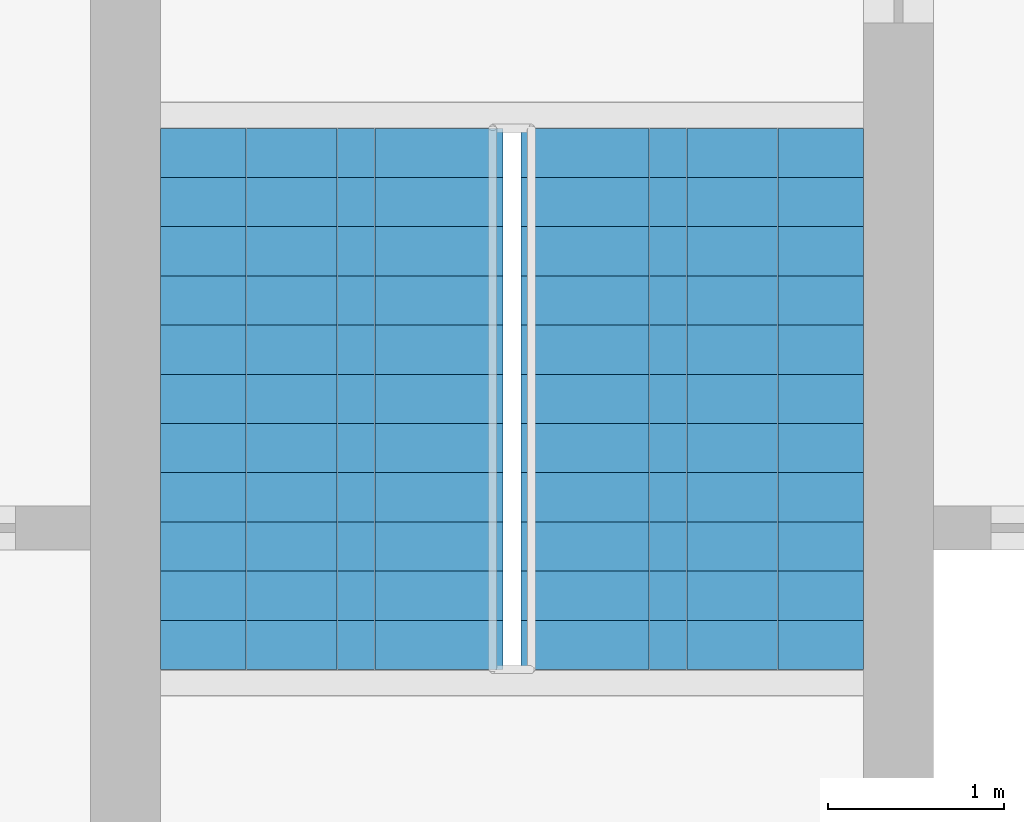
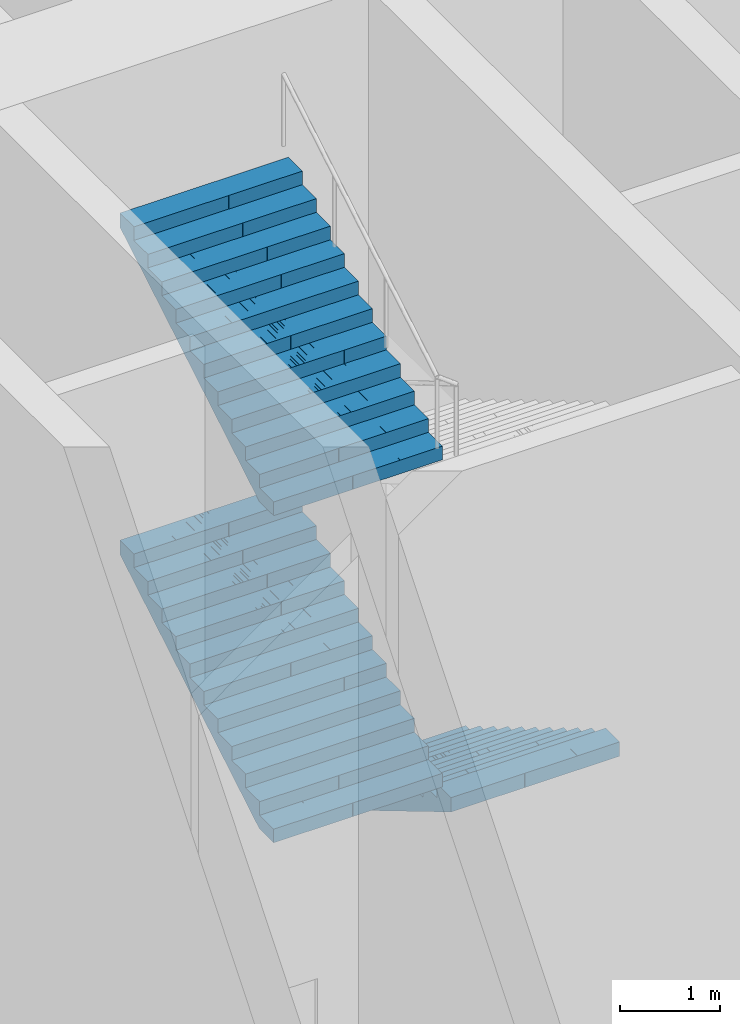
# One storey, part 22 of 25: 3 stair flights, 1 element without a shape of its own.
"""IFC4 building model written with IfcOpenShell, lengths in metres."""

from ifc_helpers import new_model, si_unit, direction, frame, origin, place, context, subcontext, project, spatial, polyline, outline, extrude, material, type_object, element, aggregate, save


model = new_model("IFC4")

# Units and contexts
model_context = context("Model", 3, precision=1e-05, world=origin(), true_north=direction((0.0, 1.0)))
body_context = subcontext(model_context, "Body", "Model", "MODEL_VIEW")
ifc_project = project(units=[si_unit("LENGTHUNIT", "METRE"), si_unit("AREAUNIT", "SQUARE_METRE"), si_unit("VOLUMEUNIT", "CUBIC_METRE"), si_unit("PLANEANGLEUNIT", "RADIAN"), si_unit("MASSUNIT", "GRAM", prefix="KILO")], contexts=[model_context])

# Site, building, storey
site_placement = place(None, origin())
site = spatial("IfcSite", under=ifc_project, at=site_placement, CompositionType="ELEMENT")
building_placement = place(site_placement, origin())
building = spatial("IfcBuilding", under=site, at=building_placement, Name="Mizan Broadcast Tower", CompositionType="ELEMENT")
storey_placement = place(building_placement, frame((0.0, 0.0, 7.0)))
storey = spatial("IfcBuildingStorey", under=building, at=storey_placement, Name="L01", CompositionType="ELEMENT", Elevation=7.0)

# Stair, stair flights
ifc_material_1 = material(Name="Concrete C40/50", Category="concrete")
stair_type = type_object("IfcStairType", Name="EXIT STAIR", PredefinedType="HALF_TURN_STAIR", material=ifc_material_1)
stair_placement = place(storey_placement, origin())
stair = element("IfcStair", 1, at=stair_placement, inside=storey, type_object=stair_type, Name="Stair B L01", PredefinedType="HALF_TURN_STAIR")
ifc_material_2 = material(Name="Concrete C40/50", Category="concrete")
stair_flight_type = type_object("IfcStairFlightType", Name="EXIT STAIR FLIGHT", PredefinedType="STRAIGHT", material=ifc_material_2)
stair_flight_1_placement = place(storey_placement, frame((1.02490234375, 7.89990234375, 0.0), z_axis=(0.0, 0.0, 1.0), x_axis=(0.0, -1.0, 0.0)))
stair_flight_1 = element("IfcStairFlight", 2, at=stair_flight_1_placement, type_object=stair_flight_type, Name="B flight 1", NumberOfRisers=12, NumberOfTreads=11, PredefinedType="STRAIGHT", RiserHeight=0.166666667, TreadLength=0.28, context=body_context, shape_type="SweptSolid", body=[
    extrude(outline(polyline([(0.0, 0.0), (0.0, 0.166748046875), (0.280029296875, 0.166748046875), (0.280029296875, 0.333251953125), (0.56005859375, 0.333251953125), (0.56005859375, 0.5), (0.840087890625, 0.5), (0.840087890625, 0.666748046875), (1.1201171875, 0.666748046875), (1.1201171875, 0.833251953125), (1.39990234375, 0.833251953125), (1.39990234375, 1.0), (1.679931640625, 1.0), (1.679931640625, 1.166748046875), (1.9599609375, 1.166748046875), (1.9599609375, 1.333251953125), (2.239990234375, 1.333251953125), (2.239990234375, 1.5), (2.52001953125, 1.5), (2.52001953125, 1.666748046875), (2.800048828125, 1.666748046875), (2.800048828125, 1.833251953125), (3.080078125, 1.833251953125), (3.080078125, 2.0), (3.080078125, 1.658935546875), (0.29296875, 0.0), (0.0, 0.0)])), frame((0.0, 0.97509765625, 0.0), z_axis=(0.0, -1.0, 0.0), x_axis=(1.0, 0.0, 0.0)), (0.0, 0.0, 1.0), 0.4873046875),
    extrude(outline(polyline([(0.0, 0.0), (0.0, 0.166748046875), (0.280029296875, 0.166748046875), (0.280029296875, 0.333251953125), (0.56005859375, 0.333251953125), (0.56005859375, 0.5), (0.840087890625, 0.5), (0.840087890625, 0.666748046875), (1.1201171875, 0.666748046875), (1.1201171875, 0.833251953125), (1.39990234375, 0.833251953125), (1.39990234375, 1.0), (1.679931640625, 1.0), (1.679931640625, 1.166748046875), (1.9599609375, 1.166748046875), (1.9599609375, 1.333251953125), (2.239990234375, 1.333251953125), (2.239990234375, 1.5), (2.52001953125, 1.5), (2.52001953125, 1.666748046875), (2.800048828125, 1.666748046875), (2.800048828125, 1.833251953125), (3.080078125, 1.833251953125), (3.080078125, 2.0), (3.080078125, 1.658935546875), (0.29296875, 0.0), (0.0, 0.0)])), frame((0.0, 0.4873046875, 0.0), z_axis=(0.0, -1.0, 0.0), x_axis=(1.0, 0.0, 0.0)), (0.0, 0.0, 1.0), 0.2431640625),
    extrude(outline(polyline([(0.0, 0.0), (0.0, 0.166748046875), (0.280029296875, 0.166748046875), (0.280029296875, 0.333251953125), (0.56005859375, 0.333251953125), (0.56005859375, 0.5), (0.840087890625, 0.5), (0.840087890625, 0.666748046875), (1.1201171875, 0.666748046875), (1.1201171875, 0.833251953125), (1.39990234375, 0.833251953125), (1.39990234375, 1.0), (1.679931640625, 1.0), (1.679931640625, 1.166748046875), (1.9599609375, 1.166748046875), (1.9599609375, 1.333251953125), (2.239990234375, 1.333251953125), (2.239990234375, 1.5), (2.52001953125, 1.5), (2.52001953125, 1.666748046875), (2.800048828125, 1.666748046875), (2.800048828125, 1.833251953125), (3.080078125, 1.833251953125), (3.080078125, 2.0), (3.080078125, 1.658935546875), (0.29296875, 0.0), (0.0, 0.0)])), frame((0.0, 0.24365234375, 0.0), z_axis=(0.0, -1.0, 0.0), x_axis=(1.0, 0.0, 0.0)), (0.0, 0.0, 1.0), 0.121337890625),
    extrude(outline(polyline([(0.0, 0.0), (0.0, 0.166748046875), (0.280029296875, 0.166748046875), (0.280029296875, 0.333251953125), (0.56005859375, 0.333251953125), (0.56005859375, 0.5), (0.840087890625, 0.5), (0.840087890625, 0.666748046875), (1.1201171875, 0.666748046875), (1.1201171875, 0.833251953125), (1.39990234375, 0.833251953125), (1.39990234375, 1.0), (1.679931640625, 1.0), (1.679931640625, 1.166748046875), (1.9599609375, 1.166748046875), (1.9599609375, 1.333251953125), (2.239990234375, 1.333251953125), (2.239990234375, 1.5), (2.52001953125, 1.5), (2.52001953125, 1.666748046875), (2.800048828125, 1.666748046875), (2.800048828125, 1.833251953125), (3.080078125, 1.833251953125), (3.080078125, 2.0), (3.080078125, 1.658935546875), (0.29296875, 0.0), (0.0, 0.0)])), frame((0.0, 0.121826171875, 0.0), z_axis=(0.0, -1.0, 0.0), x_axis=(1.0, 0.0, 0.0)), (0.0, 0.0, 1.0), 0.060546875),
    extrude(outline(polyline([(0.0, 0.0), (0.0, 0.166748046875), (0.280029296875, 0.166748046875), (0.280029296875, 0.333251953125), (0.56005859375, 0.333251953125), (0.56005859375, 0.5), (0.840087890625, 0.5), (0.840087890625, 0.666748046875), (1.1201171875, 0.666748046875), (1.1201171875, 0.833251953125), (1.39990234375, 0.833251953125), (1.39990234375, 1.0), (1.679931640625, 1.0), (1.679931640625, 1.166748046875), (1.9599609375, 1.166748046875), (1.9599609375, 1.333251953125), (2.239990234375, 1.333251953125), (2.239990234375, 1.5), (2.52001953125, 1.5), (2.52001953125, 1.666748046875), (2.800048828125, 1.666748046875), (2.800048828125, 1.833251953125), (3.080078125, 1.833251953125), (3.080078125, 2.0), (3.080078125, 1.658935546875), (0.29296875, 0.0), (0.0, 0.0)])), frame((0.0, 0.060791015625, 0.0), z_axis=(0.0, -1.0, 0.0), x_axis=(1.0, 0.0, 0.0)), (0.0, 0.0, 1.0), 0.030029296875),
    extrude(outline(polyline([(0.0, 0.0), (0.0, 0.166748046875), (0.280029296875, 0.166748046875), (0.280029296875, 0.333251953125), (0.56005859375, 0.333251953125), (0.56005859375, 0.5), (0.840087890625, 0.5), (0.840087890625, 0.666748046875), (1.1201171875, 0.666748046875), (1.1201171875, 0.833251953125), (1.39990234375, 0.833251953125), (1.39990234375, 1.0), (1.679931640625, 1.0), (1.679931640625, 1.166748046875), (1.9599609375, 1.166748046875), (1.9599609375, 1.333251953125), (2.239990234375, 1.333251953125), (2.239990234375, 1.5), (2.52001953125, 1.5), (2.52001953125, 1.666748046875), (2.800048828125, 1.666748046875), (2.800048828125, 1.833251953125), (3.080078125, 1.833251953125), (3.080078125, 2.0), (3.080078125, 1.658935546875), (0.29296875, 0.0), (0.0, 0.0)])), frame((0.0, 0.0302734375, 0.0), z_axis=(0.0, -1.0, 0.0), x_axis=(1.0, 0.0, 0.0)), (0.0, 0.0, 1.0), 0.060302734375),
    extrude(outline(polyline([(0.0, 0.0), (0.0, 0.166748046875), (0.280029296875, 0.166748046875), (0.280029296875, 0.333251953125), (0.56005859375, 0.333251953125), (0.56005859375, 0.5), (0.840087890625, 0.5), (0.840087890625, 0.666748046875), (1.1201171875, 0.666748046875), (1.1201171875, 0.833251953125), (1.39990234375, 0.833251953125), (1.39990234375, 1.0), (1.679931640625, 1.0), (1.679931640625, 1.166748046875), (1.9599609375, 1.166748046875), (1.9599609375, 1.333251953125), (2.239990234375, 1.333251953125), (2.239990234375, 1.5), (2.52001953125, 1.5), (2.52001953125, 1.666748046875), (2.800048828125, 1.666748046875), (2.800048828125, 1.833251953125), (3.080078125, 1.833251953125), (3.080078125, 2.0), (3.080078125, 1.658935546875), (0.29296875, 0.0), (0.0, 0.0)])), frame((0.0, -0.030517578125, 0.0), z_axis=(0.0, -1.0, 0.0), x_axis=(1.0, 0.0, 0.0)), (0.0, 0.0, 1.0), 0.030029296875),
    extrude(outline(polyline([(0.0, 0.0), (0.0, 0.166748046875), (0.280029296875, 0.166748046875), (0.280029296875, 0.333251953125), (0.56005859375, 0.333251953125), (0.56005859375, 0.5), (0.840087890625, 0.5), (0.840087890625, 0.666748046875), (1.1201171875, 0.666748046875), (1.1201171875, 0.833251953125), (1.39990234375, 0.833251953125), (1.39990234375, 1.0), (1.679931640625, 1.0), (1.679931640625, 1.166748046875), (1.9599609375, 1.166748046875), (1.9599609375, 1.333251953125), (2.239990234375, 1.333251953125), (2.239990234375, 1.5), (2.52001953125, 1.5), (2.52001953125, 1.666748046875), (2.800048828125, 1.666748046875), (2.800048828125, 1.833251953125), (3.080078125, 1.833251953125), (3.080078125, 2.0), (3.080078125, 1.658935546875), (0.29296875, 0.0), (0.0, 0.0)])), frame((0.0, -0.06103515625, 0.0), z_axis=(0.0, -1.0, 0.0), x_axis=(1.0, 0.0, 0.0)), (0.0, 0.0, 1.0), 0.060546875),
    extrude(outline(polyline([(0.0, 0.0), (0.0, 0.166748046875), (0.280029296875, 0.166748046875), (0.280029296875, 0.333251953125), (0.56005859375, 0.333251953125), (0.56005859375, 0.5), (0.840087890625, 0.5), (0.840087890625, 0.666748046875), (1.1201171875, 0.666748046875), (1.1201171875, 0.833251953125), (1.39990234375, 0.833251953125), (1.39990234375, 1.0), (1.679931640625, 1.0), (1.679931640625, 1.166748046875), (1.9599609375, 1.166748046875), (1.9599609375, 1.333251953125), (2.239990234375, 1.333251953125), (2.239990234375, 1.5), (2.52001953125, 1.5), (2.52001953125, 1.666748046875), (2.800048828125, 1.666748046875), (2.800048828125, 1.833251953125), (3.080078125, 1.833251953125), (3.080078125, 2.0), (3.080078125, 1.658935546875), (0.29296875, 0.0), (0.0, 0.0)])), frame((0.0, -0.1220703125, 0.0), z_axis=(0.0, -1.0, 0.0), x_axis=(1.0, 0.0, 0.0)), (0.0, 0.0, 1.0), 0.121337890625),
    extrude(outline(polyline([(0.0, 0.0), (0.0, 0.166748046875), (0.280029296875, 0.166748046875), (0.280029296875, 0.333251953125), (0.56005859375, 0.333251953125), (0.56005859375, 0.5), (0.840087890625, 0.5), (0.840087890625, 0.666748046875), (1.1201171875, 0.666748046875), (1.1201171875, 0.833251953125), (1.39990234375, 0.833251953125), (1.39990234375, 1.0), (1.679931640625, 1.0), (1.679931640625, 1.166748046875), (1.9599609375, 1.166748046875), (1.9599609375, 1.333251953125), (2.239990234375, 1.333251953125), (2.239990234375, 1.5), (2.52001953125, 1.5), (2.52001953125, 1.666748046875), (2.800048828125, 1.666748046875), (2.800048828125, 1.833251953125), (3.080078125, 1.833251953125), (3.080078125, 2.0), (3.080078125, 1.658935546875), (0.29296875, 0.0), (0.0, 0.0)])), frame((0.0, -0.243896484375, 0.0), z_axis=(0.0, -1.0, 0.0), x_axis=(1.0, 0.0, 0.0)), (0.0, 0.0, 1.0), 0.2431640625),
    extrude(outline(polyline([(0.0, 0.0), (0.0, 0.166748046875), (0.280029296875, 0.166748046875), (0.280029296875, 0.333251953125), (0.56005859375, 0.333251953125), (0.56005859375, 0.5), (0.840087890625, 0.5), (0.840087890625, 0.666748046875), (1.1201171875, 0.666748046875), (1.1201171875, 0.833251953125), (1.39990234375, 0.833251953125), (1.39990234375, 1.0), (1.679931640625, 1.0), (1.679931640625, 1.166748046875), (1.9599609375, 1.166748046875), (1.9599609375, 1.333251953125), (2.239990234375, 1.333251953125), (2.239990234375, 1.5), (2.52001953125, 1.5), (2.52001953125, 1.666748046875), (2.800048828125, 1.666748046875), (2.800048828125, 1.833251953125), (3.080078125, 1.833251953125), (3.080078125, 2.0), (3.080078125, 1.658935546875), (0.29296875, 0.0), (0.0, 0.0)])), frame((0.0, -0.487548828125, 0.0), z_axis=(0.0, -1.0, 0.0), x_axis=(1.0, 0.0, 0.0)), (0.0, 0.0, 1.0), 0.4873046875),
])
stair_flight_2_placement = place(storey_placement, frame((-1.02490234375, 4.820068359375, 2.0), z_axis=(0.0, 0.0, 1.0), x_axis=(0.0, 1.0, 0.0)))
stair_flight_2 = element("IfcStairFlight", 3, at=stair_flight_2_placement, type_object=stair_flight_type, Name="B flight 2", NumberOfRisers=12, NumberOfTreads=11, PredefinedType="STRAIGHT", RiserHeight=0.166666667, TreadLength=0.28, context=body_context, shape_type="SweptSolid", body=[
    extrude(outline(polyline([(0.0, 0.0), (0.0, 0.166748046875), (0.280029296875, 0.166748046875), (0.280029296875, 0.333251953125), (0.56005859375, 0.333251953125), (0.56005859375, 0.5), (0.840087890625, 0.5), (0.840087890625, 0.666748046875), (1.1201171875, 0.666748046875), (1.1201171875, 0.833251953125), (1.39990234375, 0.833251953125), (1.39990234375, 1.0), (1.679931640625, 1.0), (1.679931640625, 1.166748046875), (1.9599609375, 1.166748046875), (1.9599609375, 1.333251953125), (2.239990234375, 1.333251953125), (2.239990234375, 1.5), (2.52001953125, 1.5), (2.52001953125, 1.666748046875), (2.800048828125, 1.666748046875), (2.800048828125, 1.833251953125), (3.080078125, 1.833251953125), (3.080078125, 2.0), (3.080078125, 1.658935546875), (0.29296875, 0.0), (0.0, 0.0)])), frame((0.0, 0.97509765625, 0.0), z_axis=(0.0, -1.0, 0.0), x_axis=(1.0, 0.0, 0.0)), (0.0, 0.0, 1.0), 0.4873046875),
    extrude(outline(polyline([(0.0, 0.0), (0.0, 0.166748046875), (0.280029296875, 0.166748046875), (0.280029296875, 0.333251953125), (0.56005859375, 0.333251953125), (0.56005859375, 0.5), (0.840087890625, 0.5), (0.840087890625, 0.666748046875), (1.1201171875, 0.666748046875), (1.1201171875, 0.833251953125), (1.39990234375, 0.833251953125), (1.39990234375, 1.0), (1.679931640625, 1.0), (1.679931640625, 1.166748046875), (1.9599609375, 1.166748046875), (1.9599609375, 1.333251953125), (2.239990234375, 1.333251953125), (2.239990234375, 1.5), (2.52001953125, 1.5), (2.52001953125, 1.666748046875), (2.800048828125, 1.666748046875), (2.800048828125, 1.833251953125), (3.080078125, 1.833251953125), (3.080078125, 2.0), (3.080078125, 1.658935546875), (0.29296875, 0.0), (0.0, 0.0)])), frame((0.0, 0.4873046875, 0.0), z_axis=(0.0, -1.0, 0.0), x_axis=(1.0, 0.0, 0.0)), (0.0, 0.0, 1.0), 0.2431640625),
    extrude(outline(polyline([(0.0, 0.0), (0.0, 0.166748046875), (0.280029296875, 0.166748046875), (0.280029296875, 0.333251953125), (0.56005859375, 0.333251953125), (0.56005859375, 0.5), (0.840087890625, 0.5), (0.840087890625, 0.666748046875), (1.1201171875, 0.666748046875), (1.1201171875, 0.833251953125), (1.39990234375, 0.833251953125), (1.39990234375, 1.0), (1.679931640625, 1.0), (1.679931640625, 1.166748046875), (1.9599609375, 1.166748046875), (1.9599609375, 1.333251953125), (2.239990234375, 1.333251953125), (2.239990234375, 1.5), (2.52001953125, 1.5), (2.52001953125, 1.666748046875), (2.800048828125, 1.666748046875), (2.800048828125, 1.833251953125), (3.080078125, 1.833251953125), (3.080078125, 2.0), (3.080078125, 1.658935546875), (0.29296875, 0.0), (0.0, 0.0)])), frame((0.0, 0.24365234375, 0.0), z_axis=(0.0, -1.0, 0.0), x_axis=(1.0, 0.0, 0.0)), (0.0, 0.0, 1.0), 0.121337890625),
    extrude(outline(polyline([(0.0, 0.0), (0.0, 0.166748046875), (0.280029296875, 0.166748046875), (0.280029296875, 0.333251953125), (0.56005859375, 0.333251953125), (0.56005859375, 0.5), (0.840087890625, 0.5), (0.840087890625, 0.666748046875), (1.1201171875, 0.666748046875), (1.1201171875, 0.833251953125), (1.39990234375, 0.833251953125), (1.39990234375, 1.0), (1.679931640625, 1.0), (1.679931640625, 1.166748046875), (1.9599609375, 1.166748046875), (1.9599609375, 1.333251953125), (2.239990234375, 1.333251953125), (2.239990234375, 1.5), (2.52001953125, 1.5), (2.52001953125, 1.666748046875), (2.800048828125, 1.666748046875), (2.800048828125, 1.833251953125), (3.080078125, 1.833251953125), (3.080078125, 2.0), (3.080078125, 1.658935546875), (0.29296875, 0.0), (0.0, 0.0)])), frame((0.0, 0.121826171875, 0.0), z_axis=(0.0, -1.0, 0.0), x_axis=(1.0, 0.0, 0.0)), (0.0, 0.0, 1.0), 0.060546875),
    extrude(outline(polyline([(0.0, 0.0), (0.0, 0.166748046875), (0.280029296875, 0.166748046875), (0.280029296875, 0.333251953125), (0.56005859375, 0.333251953125), (0.56005859375, 0.5), (0.840087890625, 0.5), (0.840087890625, 0.666748046875), (1.1201171875, 0.666748046875), (1.1201171875, 0.833251953125), (1.39990234375, 0.833251953125), (1.39990234375, 1.0), (1.679931640625, 1.0), (1.679931640625, 1.166748046875), (1.9599609375, 1.166748046875), (1.9599609375, 1.333251953125), (2.239990234375, 1.333251953125), (2.239990234375, 1.5), (2.52001953125, 1.5), (2.52001953125, 1.666748046875), (2.800048828125, 1.666748046875), (2.800048828125, 1.833251953125), (3.080078125, 1.833251953125), (3.080078125, 2.0), (3.080078125, 1.658935546875), (0.29296875, 0.0), (0.0, 0.0)])), frame((0.0, 0.060791015625, 0.0), z_axis=(0.0, -1.0, 0.0), x_axis=(1.0, 0.0, 0.0)), (0.0, 0.0, 1.0), 0.030029296875),
    extrude(outline(polyline([(0.0, 0.0), (0.0, 0.166748046875), (0.280029296875, 0.166748046875), (0.280029296875, 0.333251953125), (0.56005859375, 0.333251953125), (0.56005859375, 0.5), (0.840087890625, 0.5), (0.840087890625, 0.666748046875), (1.1201171875, 0.666748046875), (1.1201171875, 0.833251953125), (1.39990234375, 0.833251953125), (1.39990234375, 1.0), (1.679931640625, 1.0), (1.679931640625, 1.166748046875), (1.9599609375, 1.166748046875), (1.9599609375, 1.333251953125), (2.239990234375, 1.333251953125), (2.239990234375, 1.5), (2.52001953125, 1.5), (2.52001953125, 1.666748046875), (2.800048828125, 1.666748046875), (2.800048828125, 1.833251953125), (3.080078125, 1.833251953125), (3.080078125, 2.0), (3.080078125, 1.658935546875), (0.29296875, 0.0), (0.0, 0.0)])), frame((0.0, 0.0302734375, 0.0), z_axis=(0.0, -1.0, 0.0), x_axis=(1.0, 0.0, 0.0)), (0.0, 0.0, 1.0), 0.060302734375),
    extrude(outline(polyline([(0.0, 0.0), (0.0, 0.166748046875), (0.280029296875, 0.166748046875), (0.280029296875, 0.333251953125), (0.56005859375, 0.333251953125), (0.56005859375, 0.5), (0.840087890625, 0.5), (0.840087890625, 0.666748046875), (1.1201171875, 0.666748046875), (1.1201171875, 0.833251953125), (1.39990234375, 0.833251953125), (1.39990234375, 1.0), (1.679931640625, 1.0), (1.679931640625, 1.166748046875), (1.9599609375, 1.166748046875), (1.9599609375, 1.333251953125), (2.239990234375, 1.333251953125), (2.239990234375, 1.5), (2.52001953125, 1.5), (2.52001953125, 1.666748046875), (2.800048828125, 1.666748046875), (2.800048828125, 1.833251953125), (3.080078125, 1.833251953125), (3.080078125, 2.0), (3.080078125, 1.658935546875), (0.29296875, 0.0), (0.0, 0.0)])), frame((0.0, -0.030517578125, 0.0), z_axis=(0.0, -1.0, 0.0), x_axis=(1.0, 0.0, 0.0)), (0.0, 0.0, 1.0), 0.030029296875),
    extrude(outline(polyline([(0.0, 0.0), (0.0, 0.166748046875), (0.280029296875, 0.166748046875), (0.280029296875, 0.333251953125), (0.56005859375, 0.333251953125), (0.56005859375, 0.5), (0.840087890625, 0.5), (0.840087890625, 0.666748046875), (1.1201171875, 0.666748046875), (1.1201171875, 0.833251953125), (1.39990234375, 0.833251953125), (1.39990234375, 1.0), (1.679931640625, 1.0), (1.679931640625, 1.166748046875), (1.9599609375, 1.166748046875), (1.9599609375, 1.333251953125), (2.239990234375, 1.333251953125), (2.239990234375, 1.5), (2.52001953125, 1.5), (2.52001953125, 1.666748046875), (2.800048828125, 1.666748046875), (2.800048828125, 1.833251953125), (3.080078125, 1.833251953125), (3.080078125, 2.0), (3.080078125, 1.658935546875), (0.29296875, 0.0), (0.0, 0.0)])), frame((0.0, -0.06103515625, 0.0), z_axis=(0.0, -1.0, 0.0), x_axis=(1.0, 0.0, 0.0)), (0.0, 0.0, 1.0), 0.060546875),
    extrude(outline(polyline([(0.0, 0.0), (0.0, 0.166748046875), (0.280029296875, 0.166748046875), (0.280029296875, 0.333251953125), (0.56005859375, 0.333251953125), (0.56005859375, 0.5), (0.840087890625, 0.5), (0.840087890625, 0.666748046875), (1.1201171875, 0.666748046875), (1.1201171875, 0.833251953125), (1.39990234375, 0.833251953125), (1.39990234375, 1.0), (1.679931640625, 1.0), (1.679931640625, 1.166748046875), (1.9599609375, 1.166748046875), (1.9599609375, 1.333251953125), (2.239990234375, 1.333251953125), (2.239990234375, 1.5), (2.52001953125, 1.5), (2.52001953125, 1.666748046875), (2.800048828125, 1.666748046875), (2.800048828125, 1.833251953125), (3.080078125, 1.833251953125), (3.080078125, 2.0), (3.080078125, 1.658935546875), (0.29296875, 0.0), (0.0, 0.0)])), frame((0.0, -0.1220703125, 0.0), z_axis=(0.0, -1.0, 0.0), x_axis=(1.0, 0.0, 0.0)), (0.0, 0.0, 1.0), 0.121337890625),
    extrude(outline(polyline([(0.0, 0.0), (0.0, 0.166748046875), (0.280029296875, 0.166748046875), (0.280029296875, 0.333251953125), (0.56005859375, 0.333251953125), (0.56005859375, 0.5), (0.840087890625, 0.5), (0.840087890625, 0.666748046875), (1.1201171875, 0.666748046875), (1.1201171875, 0.833251953125), (1.39990234375, 0.833251953125), (1.39990234375, 1.0), (1.679931640625, 1.0), (1.679931640625, 1.166748046875), (1.9599609375, 1.166748046875), (1.9599609375, 1.333251953125), (2.239990234375, 1.333251953125), (2.239990234375, 1.5), (2.52001953125, 1.5), (2.52001953125, 1.666748046875), (2.800048828125, 1.666748046875), (2.800048828125, 1.833251953125), (3.080078125, 1.833251953125), (3.080078125, 2.0), (3.080078125, 1.658935546875), (0.29296875, 0.0), (0.0, 0.0)])), frame((0.0, -0.243896484375, 0.0), z_axis=(0.0, -1.0, 0.0), x_axis=(1.0, 0.0, 0.0)), (0.0, 0.0, 1.0), 0.2431640625),
    extrude(outline(polyline([(0.0, 0.0), (0.0, 0.166748046875), (0.280029296875, 0.166748046875), (0.280029296875, 0.333251953125), (0.56005859375, 0.333251953125), (0.56005859375, 0.5), (0.840087890625, 0.5), (0.840087890625, 0.666748046875), (1.1201171875, 0.666748046875), (1.1201171875, 0.833251953125), (1.39990234375, 0.833251953125), (1.39990234375, 1.0), (1.679931640625, 1.0), (1.679931640625, 1.166748046875), (1.9599609375, 1.166748046875), (1.9599609375, 1.333251953125), (2.239990234375, 1.333251953125), (2.239990234375, 1.5), (2.52001953125, 1.5), (2.52001953125, 1.666748046875), (2.800048828125, 1.666748046875), (2.800048828125, 1.833251953125), (3.080078125, 1.833251953125), (3.080078125, 2.0), (3.080078125, 1.658935546875), (0.29296875, 0.0), (0.0, 0.0)])), frame((0.0, -0.487548828125, 0.0), z_axis=(0.0, -1.0, 0.0), x_axis=(1.0, 0.0, 0.0)), (0.0, 0.0, 1.0), 0.4873046875),
])
stair_flight_3_placement = place(storey_placement, frame((-1.02490234375, 4.820068359375, 6.0), z_axis=(0.0, 0.0, 1.0), x_axis=(0.0, 1.0, 0.0)))
stair_flight_3 = element("IfcStairFlight", 4, at=stair_flight_3_placement, type_object=stair_flight_type, Name="B flight 4", NumberOfRisers=12, NumberOfTreads=11, PredefinedType="STRAIGHT", RiserHeight=0.166666667, TreadLength=0.28, context=body_context, shape_type="SweptSolid", body=[
    extrude(outline(polyline([(0.0, 0.0), (0.0, 0.166748046875), (0.280029296875, 0.166748046875), (0.280029296875, 0.333251953125), (0.56005859375, 0.333251953125), (0.56005859375, 0.5), (0.840087890625, 0.5), (0.840087890625, 0.666748046875), (1.1201171875, 0.666748046875), (1.1201171875, 0.833251953125), (1.39990234375, 0.833251953125), (1.39990234375, 1.0), (1.679931640625, 1.0), (1.679931640625, 1.166748046875), (1.9599609375, 1.166748046875), (1.9599609375, 1.333251953125), (2.239990234375, 1.333251953125), (2.239990234375, 1.5), (2.52001953125, 1.5), (2.52001953125, 1.666748046875), (2.800048828125, 1.666748046875), (2.800048828125, 1.833251953125), (3.080078125, 1.833251953125), (3.080078125, 2.0), (3.080078125, 1.658935546875), (0.29296875, 0.0), (0.0, 0.0)])), frame((0.0, 0.97509765625, 0.0), z_axis=(0.0, -1.0, 0.0), x_axis=(1.0, 0.0, 0.0)), (0.0, 0.0, 1.0), 0.4873046875),
    extrude(outline(polyline([(0.0, 0.0), (0.0, 0.166748046875), (0.280029296875, 0.166748046875), (0.280029296875, 0.333251953125), (0.56005859375, 0.333251953125), (0.56005859375, 0.5), (0.840087890625, 0.5), (0.840087890625, 0.666748046875), (1.1201171875, 0.666748046875), (1.1201171875, 0.833251953125), (1.39990234375, 0.833251953125), (1.39990234375, 1.0), (1.679931640625, 1.0), (1.679931640625, 1.166748046875), (1.9599609375, 1.166748046875), (1.9599609375, 1.333251953125), (2.239990234375, 1.333251953125), (2.239990234375, 1.5), (2.52001953125, 1.5), (2.52001953125, 1.666748046875), (2.800048828125, 1.666748046875), (2.800048828125, 1.833251953125), (3.080078125, 1.833251953125), (3.080078125, 2.0), (3.080078125, 1.658935546875), (0.29296875, 0.0), (0.0, 0.0)])), frame((0.0, 0.4873046875, 0.0), z_axis=(0.0, -1.0, 0.0), x_axis=(1.0, 0.0, 0.0)), (0.0, 0.0, 1.0), 0.2431640625),
    extrude(outline(polyline([(0.0, 0.0), (0.0, 0.166748046875), (0.280029296875, 0.166748046875), (0.280029296875, 0.333251953125), (0.56005859375, 0.333251953125), (0.56005859375, 0.5), (0.840087890625, 0.5), (0.840087890625, 0.666748046875), (1.1201171875, 0.666748046875), (1.1201171875, 0.833251953125), (1.39990234375, 0.833251953125), (1.39990234375, 1.0), (1.679931640625, 1.0), (1.679931640625, 1.166748046875), (1.9599609375, 1.166748046875), (1.9599609375, 1.333251953125), (2.239990234375, 1.333251953125), (2.239990234375, 1.5), (2.52001953125, 1.5), (2.52001953125, 1.666748046875), (2.800048828125, 1.666748046875), (2.800048828125, 1.833251953125), (3.080078125, 1.833251953125), (3.080078125, 2.0), (3.080078125, 1.658935546875), (0.29296875, 0.0), (0.0, 0.0)])), frame((0.0, 0.24365234375, 0.0), z_axis=(0.0, -1.0, 0.0), x_axis=(1.0, 0.0, 0.0)), (0.0, 0.0, 1.0), 0.121337890625),
    extrude(outline(polyline([(0.0, 0.0), (0.0, 0.166748046875), (0.280029296875, 0.166748046875), (0.280029296875, 0.333251953125), (0.56005859375, 0.333251953125), (0.56005859375, 0.5), (0.840087890625, 0.5), (0.840087890625, 0.666748046875), (1.1201171875, 0.666748046875), (1.1201171875, 0.833251953125), (1.39990234375, 0.833251953125), (1.39990234375, 1.0), (1.679931640625, 1.0), (1.679931640625, 1.166748046875), (1.9599609375, 1.166748046875), (1.9599609375, 1.333251953125), (2.239990234375, 1.333251953125), (2.239990234375, 1.5), (2.52001953125, 1.5), (2.52001953125, 1.666748046875), (2.800048828125, 1.666748046875), (2.800048828125, 1.833251953125), (3.080078125, 1.833251953125), (3.080078125, 2.0), (3.080078125, 1.658935546875), (0.29296875, 0.0), (0.0, 0.0)])), frame((0.0, 0.121826171875, 0.0), z_axis=(0.0, -1.0, 0.0), x_axis=(1.0, 0.0, 0.0)), (0.0, 0.0, 1.0), 0.060546875),
    extrude(outline(polyline([(0.0, 0.0), (0.0, 0.166748046875), (0.280029296875, 0.166748046875), (0.280029296875, 0.333251953125), (0.56005859375, 0.333251953125), (0.56005859375, 0.5), (0.840087890625, 0.5), (0.840087890625, 0.666748046875), (1.1201171875, 0.666748046875), (1.1201171875, 0.833251953125), (1.39990234375, 0.833251953125), (1.39990234375, 1.0), (1.679931640625, 1.0), (1.679931640625, 1.166748046875), (1.9599609375, 1.166748046875), (1.9599609375, 1.333251953125), (2.239990234375, 1.333251953125), (2.239990234375, 1.5), (2.52001953125, 1.5), (2.52001953125, 1.666748046875), (2.800048828125, 1.666748046875), (2.800048828125, 1.833251953125), (3.080078125, 1.833251953125), (3.080078125, 2.0), (3.080078125, 1.658935546875), (0.29296875, 0.0), (0.0, 0.0)])), frame((0.0, 0.060791015625, 0.0), z_axis=(0.0, -1.0, 0.0), x_axis=(1.0, 0.0, 0.0)), (0.0, 0.0, 1.0), 0.030029296875),
    extrude(outline(polyline([(0.0, 0.0), (0.0, 0.166748046875), (0.280029296875, 0.166748046875), (0.280029296875, 0.333251953125), (0.56005859375, 0.333251953125), (0.56005859375, 0.5), (0.840087890625, 0.5), (0.840087890625, 0.666748046875), (1.1201171875, 0.666748046875), (1.1201171875, 0.833251953125), (1.39990234375, 0.833251953125), (1.39990234375, 1.0), (1.679931640625, 1.0), (1.679931640625, 1.166748046875), (1.9599609375, 1.166748046875), (1.9599609375, 1.333251953125), (2.239990234375, 1.333251953125), (2.239990234375, 1.5), (2.52001953125, 1.5), (2.52001953125, 1.666748046875), (2.800048828125, 1.666748046875), (2.800048828125, 1.833251953125), (3.080078125, 1.833251953125), (3.080078125, 2.0), (3.080078125, 1.658935546875), (0.29296875, 0.0), (0.0, 0.0)])), frame((0.0, 0.0302734375, 0.0), z_axis=(0.0, -1.0, 0.0), x_axis=(1.0, 0.0, 0.0)), (0.0, 0.0, 1.0), 0.060302734375),
    extrude(outline(polyline([(0.0, 0.0), (0.0, 0.166748046875), (0.280029296875, 0.166748046875), (0.280029296875, 0.333251953125), (0.56005859375, 0.333251953125), (0.56005859375, 0.5), (0.840087890625, 0.5), (0.840087890625, 0.666748046875), (1.1201171875, 0.666748046875), (1.1201171875, 0.833251953125), (1.39990234375, 0.833251953125), (1.39990234375, 1.0), (1.679931640625, 1.0), (1.679931640625, 1.166748046875), (1.9599609375, 1.166748046875), (1.9599609375, 1.333251953125), (2.239990234375, 1.333251953125), (2.239990234375, 1.5), (2.52001953125, 1.5), (2.52001953125, 1.666748046875), (2.800048828125, 1.666748046875), (2.800048828125, 1.833251953125), (3.080078125, 1.833251953125), (3.080078125, 2.0), (3.080078125, 1.658935546875), (0.29296875, 0.0), (0.0, 0.0)])), frame((0.0, -0.030517578125, 0.0), z_axis=(0.0, -1.0, 0.0), x_axis=(1.0, 0.0, 0.0)), (0.0, 0.0, 1.0), 0.030029296875),
    extrude(outline(polyline([(0.0, 0.0), (0.0, 0.166748046875), (0.280029296875, 0.166748046875), (0.280029296875, 0.333251953125), (0.56005859375, 0.333251953125), (0.56005859375, 0.5), (0.840087890625, 0.5), (0.840087890625, 0.666748046875), (1.1201171875, 0.666748046875), (1.1201171875, 0.833251953125), (1.39990234375, 0.833251953125), (1.39990234375, 1.0), (1.679931640625, 1.0), (1.679931640625, 1.166748046875), (1.9599609375, 1.166748046875), (1.9599609375, 1.333251953125), (2.239990234375, 1.333251953125), (2.239990234375, 1.5), (2.52001953125, 1.5), (2.52001953125, 1.666748046875), (2.800048828125, 1.666748046875), (2.800048828125, 1.833251953125), (3.080078125, 1.833251953125), (3.080078125, 2.0), (3.080078125, 1.658935546875), (0.29296875, 0.0), (0.0, 0.0)])), frame((0.0, -0.06103515625, 0.0), z_axis=(0.0, -1.0, 0.0), x_axis=(1.0, 0.0, 0.0)), (0.0, 0.0, 1.0), 0.060546875),
    extrude(outline(polyline([(0.0, 0.0), (0.0, 0.166748046875), (0.280029296875, 0.166748046875), (0.280029296875, 0.333251953125), (0.56005859375, 0.333251953125), (0.56005859375, 0.5), (0.840087890625, 0.5), (0.840087890625, 0.666748046875), (1.1201171875, 0.666748046875), (1.1201171875, 0.833251953125), (1.39990234375, 0.833251953125), (1.39990234375, 1.0), (1.679931640625, 1.0), (1.679931640625, 1.166748046875), (1.9599609375, 1.166748046875), (1.9599609375, 1.333251953125), (2.239990234375, 1.333251953125), (2.239990234375, 1.5), (2.52001953125, 1.5), (2.52001953125, 1.666748046875), (2.800048828125, 1.666748046875), (2.800048828125, 1.833251953125), (3.080078125, 1.833251953125), (3.080078125, 2.0), (3.080078125, 1.658935546875), (0.29296875, 0.0), (0.0, 0.0)])), frame((0.0, -0.1220703125, 0.0), z_axis=(0.0, -1.0, 0.0), x_axis=(1.0, 0.0, 0.0)), (0.0, 0.0, 1.0), 0.121337890625),
    extrude(outline(polyline([(0.0, 0.0), (0.0, 0.166748046875), (0.280029296875, 0.166748046875), (0.280029296875, 0.333251953125), (0.56005859375, 0.333251953125), (0.56005859375, 0.5), (0.840087890625, 0.5), (0.840087890625, 0.666748046875), (1.1201171875, 0.666748046875), (1.1201171875, 0.833251953125), (1.39990234375, 0.833251953125), (1.39990234375, 1.0), (1.679931640625, 1.0), (1.679931640625, 1.166748046875), (1.9599609375, 1.166748046875), (1.9599609375, 1.333251953125), (2.239990234375, 1.333251953125), (2.239990234375, 1.5), (2.52001953125, 1.5), (2.52001953125, 1.666748046875), (2.800048828125, 1.666748046875), (2.800048828125, 1.833251953125), (3.080078125, 1.833251953125), (3.080078125, 2.0), (3.080078125, 1.658935546875), (0.29296875, 0.0), (0.0, 0.0)])), frame((0.0, -0.243896484375, 0.0), z_axis=(0.0, -1.0, 0.0), x_axis=(1.0, 0.0, 0.0)), (0.0, 0.0, 1.0), 0.2431640625),
    extrude(outline(polyline([(0.0, 0.0), (0.0, 0.166748046875), (0.280029296875, 0.166748046875), (0.280029296875, 0.333251953125), (0.56005859375, 0.333251953125), (0.56005859375, 0.5), (0.840087890625, 0.5), (0.840087890625, 0.666748046875), (1.1201171875, 0.666748046875), (1.1201171875, 0.833251953125), (1.39990234375, 0.833251953125), (1.39990234375, 1.0), (1.679931640625, 1.0), (1.679931640625, 1.166748046875), (1.9599609375, 1.166748046875), (1.9599609375, 1.333251953125), (2.239990234375, 1.333251953125), (2.239990234375, 1.5), (2.52001953125, 1.5), (2.52001953125, 1.666748046875), (2.800048828125, 1.666748046875), (2.800048828125, 1.833251953125), (3.080078125, 1.833251953125), (3.080078125, 2.0), (3.080078125, 1.658935546875), (0.29296875, 0.0), (0.0, 0.0)])), frame((0.0, -0.487548828125, 0.0), z_axis=(0.0, -1.0, 0.0), x_axis=(1.0, 0.0, 0.0)), (0.0, 0.0, 1.0), 0.4873046875),
])
aggregate(stair, [stair_flight_1, stair_flight_2, stair_flight_3])

save(model, "model.ifc")
